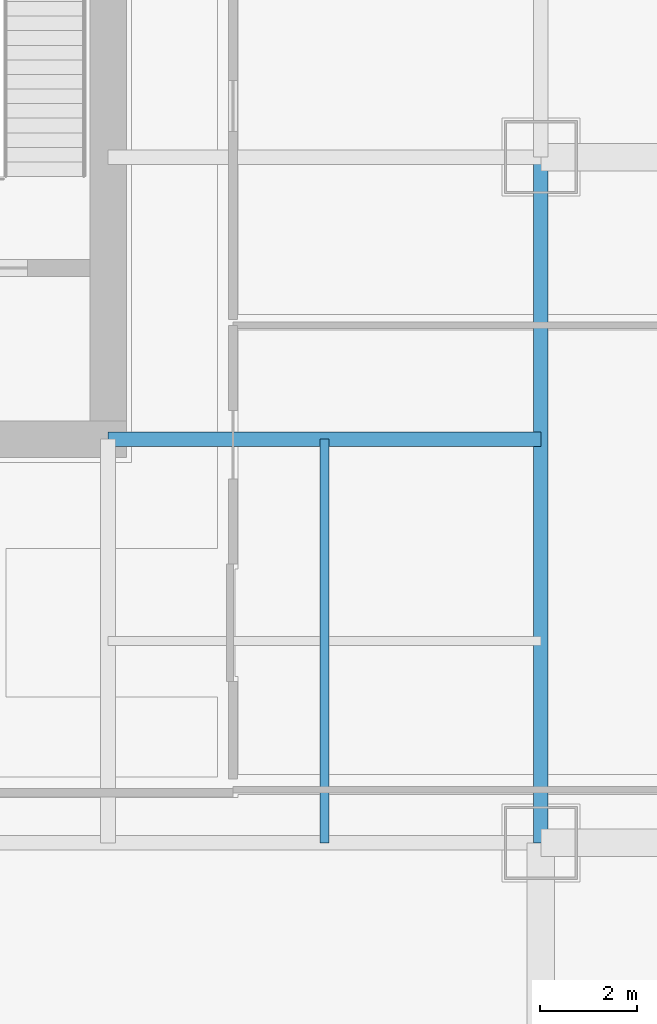
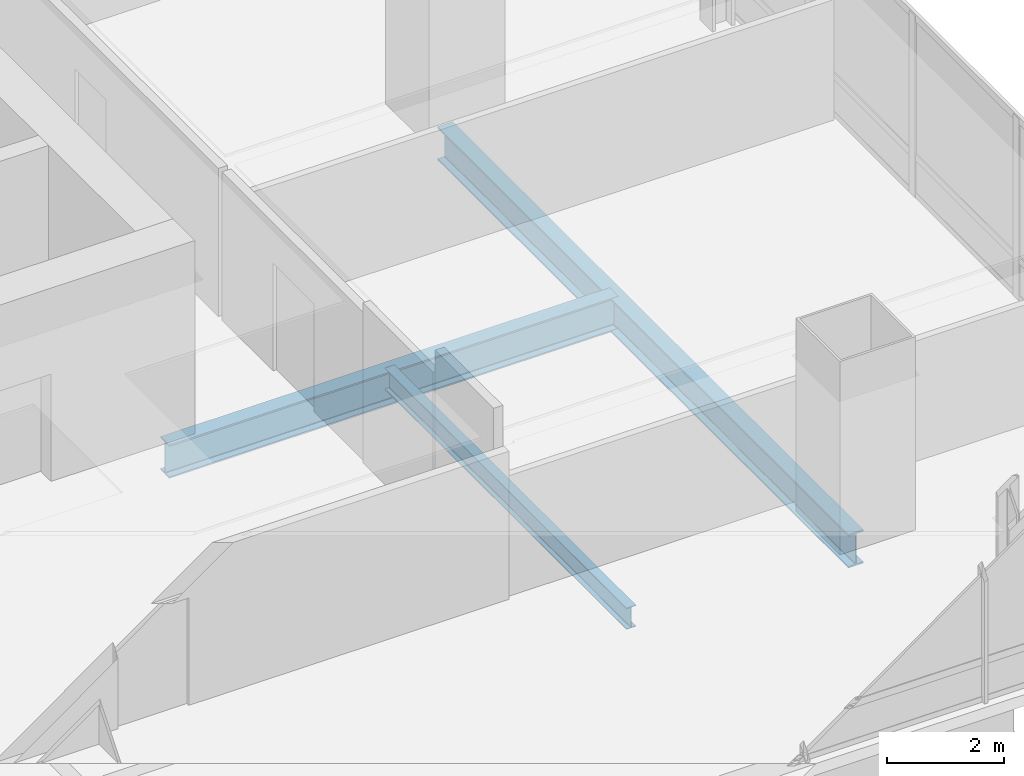
# One storey, part 13 of 35: 3 beams.
"""IFC4 building model written with IfcOpenShell, lengths in metres."""

from ifc_helpers import new_model, si_unit, direction, frame, origin, origin_2d, place, context, subcontext, project, spatial, i_section, extrude, material, material_profile, profile_set, type_object, element, save


model = new_model("IFC4")

# Units and contexts
model_context = context("Model", 3, precision=1e-05, world=origin(), true_north=direction((0.0, 1.0)))
body_context = subcontext(model_context, "Body", "Model", "MODEL_VIEW")
ifc_project = project(units=[si_unit("LENGTHUNIT", "METRE"), si_unit("AREAUNIT", "SQUARE_METRE"), si_unit("VOLUMEUNIT", "CUBIC_METRE"), si_unit("PLANEANGLEUNIT", "RADIAN"), si_unit("MASSUNIT", "GRAM", prefix="KILO")], contexts=[model_context])

# Site, building, storey
site_placement = place(None, origin())
site = spatial("IfcSite", under=ifc_project, at=site_placement, CompositionType="ELEMENT")
building_placement = place(site_placement, origin())
building = spatial("IfcBuilding", under=site, at=building_placement, Name="Punatoya Terracotta Tower", CompositionType="ELEMENT")
storey_placement = place(building_placement, frame((0.0, 0.0, 72.75)))
storey = spatial("IfcBuildingStorey", under=building, at=storey_placement, Name="L16", CompositionType="ELEMENT", Elevation=72.75)

# Beams
ifc_material = material(Name="Steel S355", Category="steel")
ifc_material_profile_1 = material_profile(ifc_material, i_section(OverallWidth=0.300048828125, OverallDepth=0.699951171875, WebThickness=0.01708984375, FlangeThickness=0.031982421875, FilletRadius=0.01806640625, at=origin_2d()))
ifc_profile_set_1 = profile_set([ifc_material_profile_1], Name="Steel S355")
beam_type_1 = type_object("IfcBeamType", Name="BM-PRI-700", PredefinedType="BEAM", material=ifc_profile_set_1)
beam_1_placement = place(storey_placement, frame((19.10009765625, -17.5, -0.590087890625), z_axis=(0.0, 1.0, 0.0), x_axis=(-1.0, 0.0, 0.0)))
element("IfcBeam", 1, at=beam_1_placement, inside=storey, type_object=beam_type_1, Name="BM-L16-RG-E1", PredefinedType="BEAM", context=body_context, shape_type="SweptSolid", body=[
    extrude(i_section(OverallWidth=0.300048828125, OverallDepth=0.699951171875, WebThickness=0.01708984375, FlangeThickness=0.031982421875, FilletRadius=0.01806640625, at=origin_2d()), origin(), (0.0, 0.0, 1.0), 14.10009765625),
])
beam_2_placement = place(storey_placement, frame((10.199951171875, -9.199951171875, -0.590087890625), z_axis=(1.0, 0.0, 0.0), x_axis=(0.0, 1.0, 0.0)))
element("IfcBeam", 2, at=beam_2_placement, inside=storey, type_object=beam_type_1, Name="BM-L16-PR-ES", PredefinedType="BEAM", context=body_context, shape_type="SweptSolid", body=[
    extrude(i_section(OverallWidth=0.300048828125, OverallDepth=0.699951171875, WebThickness=0.01708984375, FlangeThickness=0.031982421875, FilletRadius=0.01806640625, at=origin_2d()), origin(), (0.0, 0.0, 1.0), 8.900146484375),
])
ifc_material_profile_2 = material_profile(ifc_material, i_section(OverallWidth=0.18994140625, OverallDepth=0.449951171875, WebThickness=0.009521484375, FlangeThickness=0.0146484375, FilletRadius=0.01806640625, at=origin_2d()))
ifc_profile_set_2 = profile_set([ifc_material_profile_2], Name="Steel S355")
beam_type_2 = type_object("IfcBeamType", Name="BM-SEC-450", PredefinedType="JOIST", material=ifc_profile_set_2)
beam_3_placement = place(storey_placement, frame((14.64990234375, -17.5, -0.465087890625), z_axis=(0.0, 1.0, 0.0), x_axis=(-1.0, 0.0, 0.0)))
element("IfcBeam", 3, at=beam_3_placement, inside=storey, type_object=beam_type_2, Name="BM-L16-SJE-1", PredefinedType="JOIST", context=body_context, shape_type="SweptSolid", body=[
    extrude(i_section(OverallWidth=0.18994140625, OverallDepth=0.449951171875, WebThickness=0.009521484375, FlangeThickness=0.0146484375, FilletRadius=0.01806640625, at=origin_2d()), origin(), (0.0, 0.0, 1.0), 8.300048828125),
])

save(model, "model.ifc")
